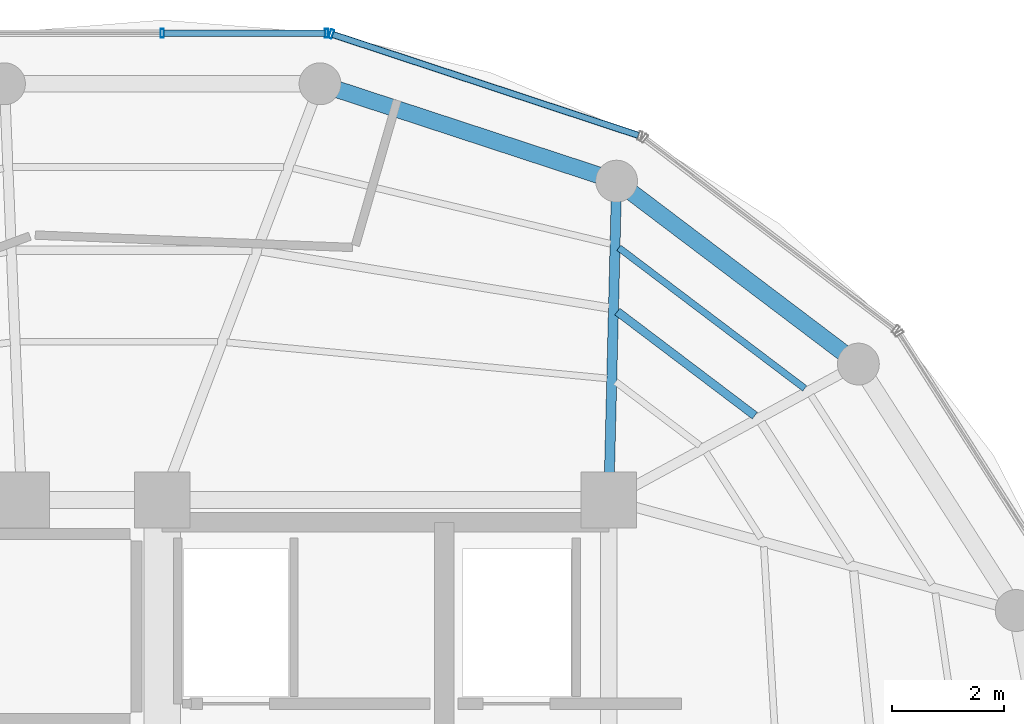
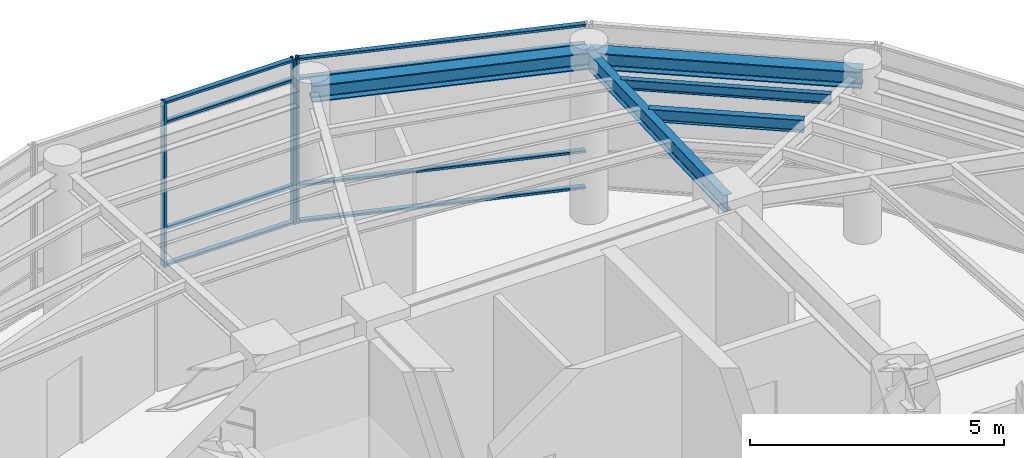
# One storey, part 13 of 19: 11 members, 5 beams, 2 elements without a shape of their own.
"""IFC4 building model written with IfcOpenShell, lengths in metres."""

from ifc_helpers import new_model, si_unit, direction, frame, origin, origin_2d, place, context, subcontext, project, spatial, hollow_rectangle, i_section, extrude, material, layer, layer_set, material_profile, profile_set, type_object, element, aggregate, save


model = new_model("IFC4")

# Units and contexts
model_context = context("Model", 3, precision=1e-05, world=origin(), true_north=direction((0.0, 1.0)))
body_context = subcontext(model_context, "Body", "Model", "MODEL_VIEW")
ifc_project = project(units=[si_unit("LENGTHUNIT", "METRE"), si_unit("AREAUNIT", "SQUARE_METRE"), si_unit("VOLUMEUNIT", "CUBIC_METRE"), si_unit("PLANEANGLEUNIT", "RADIAN"), si_unit("MASSUNIT", "GRAM", prefix="KILO")], contexts=[model_context])

# Site, building, storey
site_placement = place(None, origin())
site = spatial("IfcSite", under=ifc_project, at=site_placement, CompositionType="ELEMENT")
building_placement = place(site_placement, origin())
building = spatial("IfcBuilding", under=site, at=building_placement, Name="Kelanora Arch Commons", CompositionType="ELEMENT")
storey_placement = place(building_placement, frame((0.0, 0.0, 306.89990234375)))
storey = spatial("IfcBuildingStorey", under=building, at=storey_placement, Name="L78", CompositionType="ELEMENT", Elevation=306.89990234375)

# Beams
ifc_material_1 = material(Name="Steel S355", Category="steel")
ifc_material_profile_1 = material_profile(ifc_material_1, i_section(OverallWidth=0.14990234375, OverallDepth=0.300048828125, WebThickness=0.007080078125, FlangeThickness=0.0107421875, FilletRadius=0.014892578125, at=origin_2d()), Name="IPE300")
ifc_profile_set_1 = profile_set([ifc_material_profile_1], Name="Steel S355")
beam_type_1 = type_object("IfcBeamType", Name="BM-JST-01", PredefinedType="JOIST", material=ifc_profile_set_1)
beam_1_placement = place(storey_placement, frame((84.614990234375, 66.512939453125, 3.830078125), z_axis=(-0.797441333972, 0.603396485632, 0.0), x_axis=(-0.603396485632, -0.797441333972, 0.0)))
element("IfcBeam", 1, at=beam_1_placement, inside=storey, type_object=beam_type_1, Name="Secondary Chord Joist BJB-04 L78", PredefinedType="JOIST", context=body_context, shape_type="SweptSolid", body=[
    extrude(i_section(OverallWidth=0.14990234375, OverallDepth=0.300048828125, WebThickness=0.007080078125, FlangeThickness=0.0107421875, FilletRadius=0.014892578125, at=origin_2d()), origin(), (0.0, 0.0, 1.0), 3.0888671875),
])
ifc_material_profile_2 = material_profile(ifc_material_1, i_section(OverallWidth=0.1201171875, OverallDepth=0.239990234375, WebThickness=0.006103515625, FlangeThickness=0.009765625, FilletRadius=0.014892578125, at=origin_2d()), Name="IPE240")
ifc_profile_set_2 = profile_set([ifc_material_profile_2], Name="Steel S355")
beam_type_2 = type_object("IfcBeamType", Name="BM-JST-02", PredefinedType="JOIST", material=ifc_profile_set_2)
beam_2_placement = place(storey_placement, frame((85.50927734375, 67.000244140625, 3.860107421875), z_axis=(-0.797480905842, 0.603344184373, 0.0), x_axis=(-0.603344184373, -0.797480905842, 0.0)))
element("IfcBeam", 2, at=beam_2_placement, inside=storey, type_object=beam_type_2, Name="Secondary Chord Joist BJC-04 L78", PredefinedType="JOIST", context=body_context, shape_type="SweptSolid", body=[
    extrude(i_section(OverallWidth=0.1201171875, OverallDepth=0.239990234375, WebThickness=0.006103515625, FlangeThickness=0.009765625, FilletRadius=0.014892578125, at=origin_2d()), origin(), (0.0, 0.0, 1.0), 4.175048828125),
])
ifc_material_profile_3 = material_profile(ifc_material_1, i_section(OverallWidth=0.179931640625, OverallDepth=0.39990234375, WebThickness=0.008544921875, FlangeThickness=0.013427734375, FilletRadius=0.02099609375, at=origin_2d()), Name="IPE400")
ifc_profile_set_3 = profile_set([ifc_material_profile_3], Name="Steel S355")
beam_type_3 = type_object("IfcBeamType", Name="BM-RAD-Z5", PredefinedType="BEAM", material=ifc_profile_set_3)
beam_3_placement = place(storey_placement, frame((82.0, 65.0, 3.780029296875), z_axis=(0.0244777504, 0.99970037498, 0.0), x_axis=(-0.99970037498, 0.0244777504, 0.0)))
element("IfcBeam", 3, at=beam_3_placement, inside=storey, type_object=beam_type_3, Name="Radial Floor Girder BR-06 L78", PredefinedType="BEAM", context=body_context, shape_type="SweptSolid", body=[
    extrude(i_section(OverallWidth=0.179931640625, OverallDepth=0.39990234375, WebThickness=0.008544921875, FlangeThickness=0.013427734375, FilletRadius=0.02099609375, at=origin_2d()), origin(), (0.0, 0.0, 1.0), 5.715087890625),
])
ifc_material_profile_4 = material_profile(ifc_material_1, i_section(OverallWidth=0.300048828125, OverallDepth=0.39990234375, WebThickness=0.013427734375, FlangeThickness=0.02392578125, FilletRadius=0.027099609375, at=origin_2d()), Name="HEB400")
ifc_profile_set_4 = profile_set([ifc_material_profile_4], Name="Steel S355")
beam_type_4 = type_object("IfcBeamType", Name="BM-SPN-Z4", PredefinedType="SPANDREL", material=ifc_profile_set_4)
beam_4_placement = place(storey_placement, frame((86.47119140625, 67.43603515625, 3.780029296875), z_axis=(-0.797441458309, 0.603396321309, 0.0), x_axis=(-0.603396321309, -0.797441458309, 0.0)))
element("IfcBeam", 4, at=beam_4_placement, inside=storey, type_object=beam_type_4, Name="Perimeter Spandrel Beam BS-04 L78", PredefinedType="SPANDREL", context=body_context, shape_type="SweptSolid", body=[
    extrude(i_section(OverallWidth=0.300048828125, OverallDepth=0.39990234375, WebThickness=0.013427734375, FlangeThickness=0.02392578125, FilletRadius=0.027099609375, at=origin_2d()), origin(), (0.0, 0.0, 1.0), 5.431396484375),
])
beam_5_placement = place(storey_placement, frame((82.139892578125, 70.71337890625, 3.780029296875), z_axis=(-0.950140083071, 0.311823383572, 0.0), x_axis=(-0.311823383572, -0.950140083071, 0.0)))
element("IfcBeam", 5, at=beam_5_placement, inside=storey, type_object=beam_type_4, Name="Perimeter Spandrel Beam BS-06 L78", PredefinedType="SPANDREL", context=body_context, shape_type="SweptSolid", body=[
    extrude(i_section(OverallWidth=0.300048828125, OverallDepth=0.39990234375, WebThickness=0.013427734375, FlangeThickness=0.02392578125, FilletRadius=0.027099609375, at=origin_2d()), origin(), (0.0, 0.0, 1.0), 5.591796875),
])

# Curtain wall, member
ifc_material_2 = material(Name="Terracotta ceramic-fritted low-E glass and aluminium", Category="masonry")
ifc_layer = layer(ifc_material_2, 0.14990234375)
ifc_layer_set = layer_set([ifc_layer], Name="Terracotta ceramic-fritted low-E glass and aluminium")
curtain_wall_type = type_object("IfcCurtainWallType", Name="CW-SYS-06", PredefinedType="NOTDEFINED", material=ifc_layer_set)
curtain_wall_1_placement = place(storey_placement, origin())
curtain_wall_1 = element("IfcCurtainWall", 6, at=curtain_wall_1_placement, inside=storey, type_object=curtain_wall_type, Name="Unitised Curtain Wall L78-B03", PredefinedType="NOTDEFINED")
ifc_material_3 = material(Name="Powder-coated aluminium terracotta", Category="masonry")
ifc_material_profile_5 = material_profile(ifc_material_3, hollow_rectangle(XDim=0.159912109375, YDim=0.06005859375, WallThickness=0.0048828125, InnerFilletRadius=0.0048828125, OuterFilletRadius=0.010009765625, at=origin_2d()), Name="CWM160x60")
ifc_profile_set_5 = profile_set([ifc_material_profile_5], Name="Powder-coated aluminium terracotta")
member_type_1 = type_object("IfcMemberType", Name="CWM-STD", PredefinedType="MULLION", material=ifc_profile_set_5)
member_1_placement = place(storey_placement, frame((77.029296875, 73.348876953125, 0.0), z_axis=(0.0, 0.0, 1.0), x_axis=(-0.313466845323, -0.949599145368, 0.0)))
member_1 = element("IfcMember", 7, at=member_1_placement, type_object=member_type_1, Name="CW-06 mullion 2", PredefinedType="MULLION", context=body_context, shape_type="SweptSolid", body=[
    extrude(hollow_rectangle(XDim=0.159912109375, YDim=0.06005859375, WallThickness=0.0048828125, InnerFilletRadius=0.0048828125, OuterFilletRadius=0.010009765625, at=origin_2d()), origin(), (0.0, 0.0, 1.0), 3.965087890625),
])

# Curtain wall, members
curtain_wall_2_placement = place(storey_placement, origin())
curtain_wall_2 = element("IfcCurtainWall", 8, at=curtain_wall_2_placement, inside=storey, type_object=curtain_wall_type, Name="Unitised Curtain Wall L78-B04", PredefinedType="NOTDEFINED")
member_2_placement = place(storey_placement, frame((76.941650390625, 73.363037109375, 0.0), z_axis=(0.0, 0.0, 1.0), x_axis=(0.0, -1.0, 0.0)))
member_2 = element("IfcMember", 9, at=member_2_placement, type_object=member_type_1, Name="CW-06 mullion 1", PredefinedType="MULLION", context=body_context, shape_type="SweptSolid", body=[
    extrude(hollow_rectangle(XDim=0.159912109375, YDim=0.06005859375, WallThickness=0.0048828125, InnerFilletRadius=0.0048828125, OuterFilletRadius=0.010009765625, at=origin_2d()), origin(), (0.0, 0.0, 1.0), 3.965087890625),
])
member_3_placement = place(storey_placement, frame((74.0, 73.363037109375, 0.0), z_axis=(0.0, 0.0, 1.0), x_axis=(0.0, -1.0, 0.0)))
member_3 = element("IfcMember", 10, at=member_3_placement, type_object=member_type_1, Name="CW-06 mullion 2", PredefinedType="MULLION", context=body_context, shape_type="SweptSolid", body=[
    extrude(hollow_rectangle(XDim=0.159912109375, YDim=0.06005859375, WallThickness=0.0048828125, InnerFilletRadius=0.0048828125, OuterFilletRadius=0.010009765625, at=origin_2d()), origin(), (0.0, 0.0, 1.0), 3.965087890625),
])

# Member
ifc_material_profile_6 = material_profile(ifc_material_3, hollow_rectangle(XDim=0.1201171875, YDim=0.06005859375, WallThickness=0.0048828125, InnerFilletRadius=0.0048828125, OuterFilletRadius=0.010009765625, at=origin_2d()), Name="CWT120x60")
ifc_profile_set_6 = profile_set([ifc_material_profile_6], Name="Powder-coated aluminium terracotta")
member_type_2 = type_object("IfcMemberType", Name="CWT-STD", PredefinedType="USERDEFINED", material=ifc_profile_set_6)
member_4_placement = place(storey_placement, frame((82.52880859375, 71.533447265625, 0.030029296875), z_axis=(-0.949590431956, 0.31349324002, 0.0), x_axis=(-0.31349324002, -0.949590431956, 0.0)))
member_4 = element("IfcMember", 11, at=member_4_placement, type_object=member_type_2, Name="CW-06 transom 1.1", ObjectType="TRANSOM", PredefinedType="USERDEFINED", context=body_context, shape_type="SweptSolid", body=[
    extrude(hollow_rectangle(XDim=0.1201171875, YDim=0.06005859375, WallThickness=0.0048828125, InnerFilletRadius=0.0048828125, OuterFilletRadius=0.010009765625, at=origin_2d()), origin(), (0.0, 0.0, 1.0), 5.761474609375),
])

member_5_placement = place(storey_placement, frame((82.52880859375, 71.533447265625, 0.900146484375), z_axis=(-0.949590431956, 0.31349324002, 0.0), x_axis=(-0.31349324002, -0.949590431956, 0.0)))
member_5 = element("IfcMember", 12, at=member_5_placement, type_object=member_type_2, Name="CW-06 transom 1.2", ObjectType="TRANSOM", PredefinedType="USERDEFINED", context=body_context, shape_type="SweptSolid", body=[
    extrude(hollow_rectangle(XDim=0.1201171875, YDim=0.06005859375, WallThickness=0.0048828125, InnerFilletRadius=0.0048828125, OuterFilletRadius=0.010009765625, at=origin_2d()), origin(), (0.0, 0.0, 1.0), 5.761474609375),
])

member_6_placement = place(storey_placement, frame((82.52880859375, 71.533447265625, 3.465087890625), z_axis=(-0.949590431956, 0.31349324002, 0.0), x_axis=(-0.31349324002, -0.949590431956, 0.0)))
member_6 = element("IfcMember", 13, at=member_6_placement, type_object=member_type_2, Name="CW-06 transom 1.3", ObjectType="TRANSOM", PredefinedType="USERDEFINED", context=body_context, shape_type="SweptSolid", body=[
    extrude(hollow_rectangle(XDim=0.1201171875, YDim=0.06005859375, WallThickness=0.0048828125, InnerFilletRadius=0.0048828125, OuterFilletRadius=0.010009765625, at=origin_2d()), origin(), (0.0, 0.0, 1.0), 5.761474609375),
])

member_7_placement = place(storey_placement, frame((82.52880859375, 71.533447265625, 3.93505859375), z_axis=(-0.949590431956, 0.31349324002, 0.0), x_axis=(-0.31349324002, -0.949590431956, 0.0)))
member_7 = element("IfcMember", 14, at=member_7_placement, type_object=member_type_2, Name="CW-06 transom 1.4", ObjectType="TRANSOM", PredefinedType="USERDEFINED", context=body_context, shape_type="SweptSolid", body=[
    extrude(hollow_rectangle(XDim=0.1201171875, YDim=0.06005859375, WallThickness=0.0048828125, InnerFilletRadius=0.0048828125, OuterFilletRadius=0.010009765625, at=origin_2d()), origin(), (0.0, 0.0, 1.0), 5.761474609375),
])

aggregate(curtain_wall_1, [member_1, member_4, member_5, member_6, member_7])

member_8_placement = place(storey_placement, frame((76.91162109375, 73.363037109375, 0.030029296875), z_axis=(-1.0, 0.0, 0.0), x_axis=(0.0, -1.0, 0.0)))
member_8 = element("IfcMember", 15, at=member_8_placement, type_object=member_type_2, Name="CW-06 transom 1.1", ObjectType="TRANSOM", PredefinedType="USERDEFINED", context=body_context, shape_type="SweptSolid", body=[
    extrude(hollow_rectangle(XDim=0.1201171875, YDim=0.06005859375, WallThickness=0.0048828125, InnerFilletRadius=0.0048828125, OuterFilletRadius=0.010009765625, at=origin_2d()), origin(), (0.0, 0.0, 1.0), 2.881591796875),
])

member_9_placement = place(storey_placement, frame((76.91162109375, 73.363037109375, 0.900146484375), z_axis=(-1.0, 0.0, 0.0), x_axis=(0.0, -1.0, 0.0)))
member_9 = element("IfcMember", 16, at=member_9_placement, type_object=member_type_2, Name="CW-06 transom 1.2", ObjectType="TRANSOM", PredefinedType="USERDEFINED", context=body_context, shape_type="SweptSolid", body=[
    extrude(hollow_rectangle(XDim=0.1201171875, YDim=0.06005859375, WallThickness=0.0048828125, InnerFilletRadius=0.0048828125, OuterFilletRadius=0.010009765625, at=origin_2d()), origin(), (0.0, 0.0, 1.0), 2.881591796875),
])

member_10_placement = place(storey_placement, frame((76.91162109375, 73.363037109375, 3.465087890625), z_axis=(-1.0, 0.0, 0.0), x_axis=(0.0, -1.0, 0.0)))
member_10 = element("IfcMember", 17, at=member_10_placement, type_object=member_type_2, Name="CW-06 transom 1.3", ObjectType="TRANSOM", PredefinedType="USERDEFINED", context=body_context, shape_type="SweptSolid", body=[
    extrude(hollow_rectangle(XDim=0.1201171875, YDim=0.06005859375, WallThickness=0.0048828125, InnerFilletRadius=0.0048828125, OuterFilletRadius=0.010009765625, at=origin_2d()), origin(), (0.0, 0.0, 1.0), 2.881591796875),
])

member_11_placement = place(storey_placement, frame((76.91162109375, 73.363037109375, 3.93505859375), z_axis=(-1.0, 0.0, 0.0), x_axis=(0.0, -1.0, 0.0)))
member_11 = element("IfcMember", 18, at=member_11_placement, type_object=member_type_2, Name="CW-06 transom 1.4", ObjectType="TRANSOM", PredefinedType="USERDEFINED", context=body_context, shape_type="SweptSolid", body=[
    extrude(hollow_rectangle(XDim=0.1201171875, YDim=0.06005859375, WallThickness=0.0048828125, InnerFilletRadius=0.0048828125, OuterFilletRadius=0.010009765625, at=origin_2d()), origin(), (0.0, 0.0, 1.0), 2.881591796875),
])

aggregate(curtain_wall_2, [member_2, member_3, member_8, member_9, member_10, member_11])

save(model, "model.ifc")
